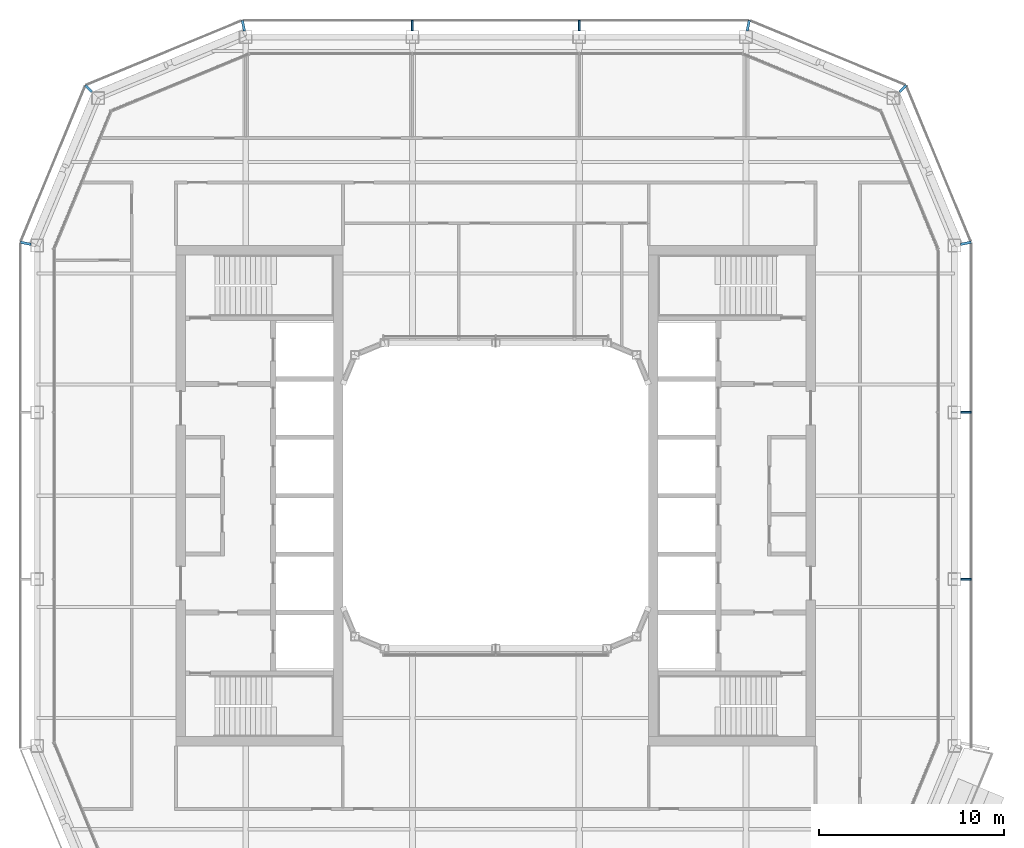
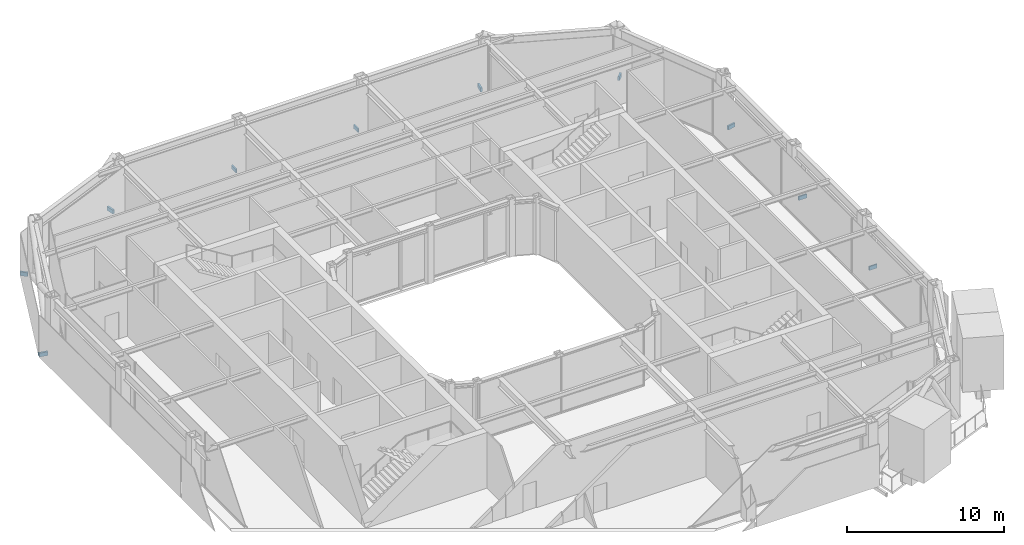
# One storey, part 16 of 21: 10 discrete accessories.
"""IFC4 building model written with IfcOpenShell, lengths in metres."""

from ifc_helpers import new_model, si_unit, direction, frame, origin, origin_2d, place, context, subcontext, project, spatial, rectangle, extrude, material, type_object, element, save


model = new_model("IFC4")

# Units and contexts
model_context = context("Model", 3, precision=1e-05, world=origin(), true_north=direction((0.0, 1.0)))
body_context = subcontext(model_context, "Body", "Model", "MODEL_VIEW")
ifc_project = project(units=[si_unit("LENGTHUNIT", "METRE"), si_unit("AREAUNIT", "SQUARE_METRE"), si_unit("VOLUMEUNIT", "CUBIC_METRE"), si_unit("PLANEANGLEUNIT", "RADIAN"), si_unit("MASSUNIT", "GRAM", prefix="KILO")], contexts=[model_context])

# Site, building, storey
site_placement = place(None, origin())
site = spatial("IfcSite", under=ifc_project, at=site_placement, CompositionType="ELEMENT")
building_placement = place(site_placement, origin())
building = spatial("IfcBuilding", under=site, at=building_placement, Name="Siwar Civic Tower", CompositionType="ELEMENT")
storey_placement = place(building_placement, frame((0.0, 0.0, 339.199951171875)))
storey = spatial("IfcBuildingStorey", under=building, at=storey_placement, Name="L73", CompositionType="ELEMENT", Elevation=339.199951171875)

# Discrete accessories
ifc_material = material(Name="Stainless steel 316", Category="steel")
discrete_accessory_type = type_object("IfcDiscreteAccessoryType", Name="ENV-BRACKET", PredefinedType="BRACKET", material=ifc_material)
for number, where, z_axis, x_axis, name in (
    (1, (25.364990234375, -4.5, -0.14990234375), (0.0, 0.0, 1.0), (1.0, 0.0, 0.0), "Bracket outer skin joint E-01"),
    (2, (25.364990234375, 4.5, -0.14990234375), (0.0, 0.0, 1.0), (1.0, 0.0, 0.0), "Bracket outer skin joint E-02"),
    (3, (4.5, 25.364990234375, -0.14990234375), (0.0, 0.0, 1.0), (0.0, 1.0, 0.0), "Bracket outer skin joint N-01"),
    (4, (-4.5, 25.364990234375, -0.14990234375), (0.0, 0.0, 1.0), (0.0, 1.0, 0.0), "Bracket outer skin joint N-02"),
):
    element("IfcDiscreteAccessory", number, at=place(storey_placement, frame(where, z_axis=z_axis, x_axis=x_axis)), inside=storey, type_object=discrete_accessory_type, Name=name, PredefinedType="BRACKET", context=body_context, shape_type="SweptSolid", body=[
        extrude(rectangle(XDim=0.570068359375, YDim=0.10009765625, at=origin_2d()), origin(), (0.0, 0.0, 1.0), 0.300048828125),
    ])
discrete_accessory_1_placement = place(storey_placement, frame((25.365234375, 13.622314453125, -0.14990234375), z_axis=(0.0, 0.0, 1.0), x_axis=(0.980785280403, 0.195090322016, 0.0)))
element("IfcDiscreteAccessory", 5, at=discrete_accessory_1_placement, inside=storey, type_object=discrete_accessory_type, Name="Bracket outer skin joint V04", PredefinedType="BRACKET", context=body_context, shape_type="SweptSolid", body=[
    extrude(rectangle(XDim=0.580810546875, YDim=0.13720703125, at=origin_2d()), origin(), (0.0, 0.0, 1.0), 0.300048828125),
])
discrete_accessory_2_placement = place(storey_placement, frame((21.96728515625, 21.96728515625, -0.14990234375), z_axis=(0.0, 0.0, 1.0), x_axis=(0.707106781187, 0.707106781187, 0.0)))
element("IfcDiscreteAccessory", 6, at=discrete_accessory_2_placement, inside=storey, type_object=discrete_accessory_type, Name="Bracket outer skin joint V05", PredefinedType="BRACKET", context=body_context, shape_type="SweptSolid", body=[
    extrude(rectangle(XDim=0.499267578125, YDim=0.12939453125, at=origin_2d()), origin(), (0.0, 0.0, 1.0), 0.300048828125),
])
for number, where, z_axis, x_axis, name in (
    (7, (13.622314453125, 25.365234375, -0.14990234375), (0.0, 0.0, 1.0), (0.195090322016, 0.980785280403, 0.0), "Bracket outer skin joint V06"),
    (8, (-13.622314453125, 25.365234375, -0.14990234375), (0.0, 0.0, 1.0), (-0.195090322016, 0.980785280403, 0.0), "Bracket outer skin joint V07"),
):
    element("IfcDiscreteAccessory", number, at=place(storey_placement, frame(where, z_axis=z_axis, x_axis=x_axis)), inside=storey, type_object=discrete_accessory_type, Name=name, PredefinedType="BRACKET", context=body_context, shape_type="SweptSolid", body=[
        extrude(rectangle(XDim=0.580810546875, YDim=0.13720703125, at=origin_2d()), origin(), (0.0, 0.0, 1.0), 0.300048828125),
    ])
discrete_accessory_3_placement = place(storey_placement, frame((-21.96728515625, 21.96728515625, -0.14990234375), z_axis=(0.0, 0.0, 1.0), x_axis=(-0.707106781187, 0.707106781187, 0.0)))
element("IfcDiscreteAccessory", 9, at=discrete_accessory_3_placement, inside=storey, type_object=discrete_accessory_type, Name="Bracket outer skin joint V08", PredefinedType="BRACKET", context=body_context, shape_type="SweptSolid", body=[
    extrude(rectangle(XDim=0.499267578125, YDim=0.12939453125, at=origin_2d()), origin(), (0.0, 0.0, 1.0), 0.300048828125),
])
discrete_accessory_4_placement = place(storey_placement, frame((-25.365234375, 13.622314453125, -0.14990234375), z_axis=(0.0, 0.0, 1.0), x_axis=(-0.980785280403, 0.195090322016, 0.0)))
element("IfcDiscreteAccessory", 10, at=discrete_accessory_4_placement, inside=storey, type_object=discrete_accessory_type, Name="Bracket outer skin joint V09", PredefinedType="BRACKET", context=body_context, shape_type="SweptSolid", body=[
    extrude(rectangle(XDim=0.580810546875, YDim=0.13720703125, at=origin_2d()), origin(), (0.0, 0.0, 1.0), 0.300048828125),
])

save(model, "model.ifc")
